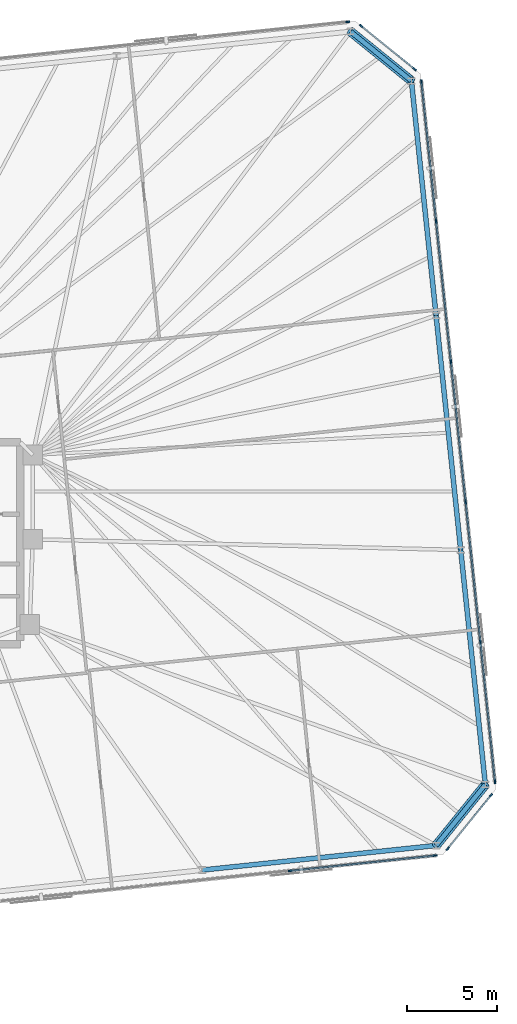
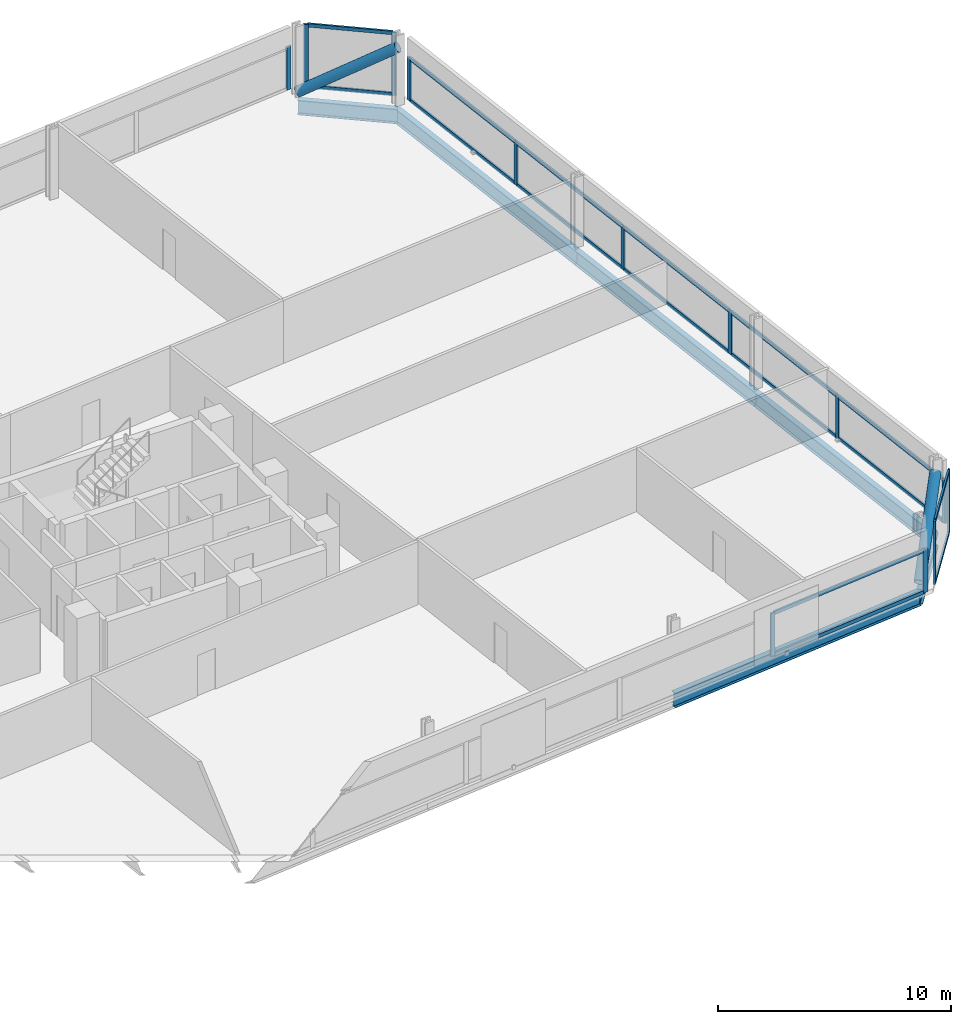
# One storey, part 12 of 18: 31 members, 6 beams, 5 elements without a shape of their own.
"""IFC4 building model written with IfcOpenShell, lengths in metres."""

from ifc_helpers import new_model, si_unit, direction, frame, origin, origin_2d, place, context, subcontext, project, spatial, rectangle, hollow_circle, i_section, extrude, material, material_profile, profile_set, type_object, element, aggregate, save


model = new_model("IFC4")

# Units and contexts
model_context = context("Model", 3, precision=1e-05, world=origin(), true_north=direction((0.0, 1.0)))
body_context = subcontext(model_context, "Body", "Model", "MODEL_VIEW")
ifc_project = project(units=[si_unit("LENGTHUNIT", "METRE"), si_unit("AREAUNIT", "SQUARE_METRE"), si_unit("VOLUMEUNIT", "CUBIC_METRE"), si_unit("PLANEANGLEUNIT", "RADIAN"), si_unit("MASSUNIT", "GRAM", prefix="KILO")], contexts=[model_context])

# Site, building, storey
site_placement = place(None, origin())
site = spatial("IfcSite", under=ifc_project, at=site_placement, CompositionType="ELEMENT")
building_placement = place(site_placement, origin())
building = spatial("IfcBuilding", under=site, at=building_placement, Name="Menara Jurai Vektor", CompositionType="ELEMENT")
storey_placement = place(building_placement, frame((0.0, 0.0, 139.199951171875)))
storey = spatial("IfcBuildingStorey", under=building, at=storey_placement, Name="L35", CompositionType="ELEMENT", Elevation=139.199951171875)

# Curtain wall, members
ifc_material_1 = material(Name="Anodised Pale Aluminium & Low-E Double Glazing", Category="aluminium")
curtain_wall_type = type_object("IfcCurtainWallType", Name="CW-BLK2", PredefinedType="NOTDEFINED", material=ifc_material_1)
curtain_wall_1_placement = place(storey_placement, origin())
curtain_wall_1 = element("IfcCurtainWall", 1, at=curtain_wall_1_placement, inside=storey, type_object=curtain_wall_type, Name="Unitised Curtain Wall L35 F01", PredefinedType="NOTDEFINED")
ifc_material_2 = material(Name="Anodised Pale Aluminium Mullion", Category="aluminium")
ifc_material_profile_1 = material_profile(ifc_material_2, rectangle(XDim=0.090087890625, YDim=0.219970703125, at=origin_2d()), Name="ALU MUL 90x220")
ifc_profile_set_1 = profile_set([ifc_material_profile_1], Name="Anodised Pale Aluminium Mullion")
member_type_1 = type_object("IfcMemberType", Name="CW-BLK2-MUL", PredefinedType="MULLION", material=ifc_profile_set_1)
member_1_placement = place(storey_placement, frame((29.52392578125, -18.169189453125, 0.0), z_axis=(0.0, 0.0, 1.0), x_axis=(-0.104528634935, 0.994521877325, 0.0)))
member_1 = element("IfcMember", 2, at=member_1_placement, type_object=member_type_1, Name="CW-02 mullion 8", PredefinedType="MULLION", context=body_context, shape_type="SweptSolid", body=[
    extrude(rectangle(XDim=0.090087890625, YDim=0.219970703125, at=origin_2d()), origin(), (0.0, 0.0, 1.0), 2.259033203125),
])
member_2_placement = place(storey_placement, frame((37.5771484375, -17.32275390625, 0.0), z_axis=(0.0, 0.0, 1.0), x_axis=(-0.104528634935, 0.994521877325, 0.0)))
member_2 = element("IfcMember", 3, at=member_2_placement, type_object=member_type_1, Name="CW-02 mullion 9", PredefinedType="MULLION", context=body_context, shape_type="SweptSolid", body=[
    extrude(rectangle(XDim=0.090087890625, YDim=0.219970703125, at=origin_2d()), origin(), (0.0, 0.0, 1.0), 2.259033203125),
])

curtain_wall_2_placement = place(storey_placement, origin())
curtain_wall_2 = element("IfcCurtainWall", 4, at=curtain_wall_2_placement, inside=storey, type_object=curtain_wall_type, Name="Unitised Curtain Wall L35 F02", PredefinedType="NOTDEFINED")
member_3_placement = place(storey_placement, frame((38.267333984375, -16.9482421875, 0.0), z_axis=(0.0, 0.0, 1.0), x_axis=(-0.777129222223, 0.62934106172, 0.0)))
member_3 = element("IfcMember", 5, at=member_3_placement, type_object=member_type_1, Name="CW-02 mullion 1", PredefinedType="MULLION", context=body_context, shape_type="SweptSolid", body=[
    extrude(rectangle(XDim=0.090087890625, YDim=0.219970703125, at=origin_2d()), origin(), (0.0, 0.0, 1.0), 3.295166015625),
])
member_4_placement = place(storey_placement, frame((40.66943359375, -13.98193359375, 0.0), z_axis=(0.0, 0.0, 1.0), x_axis=(-0.777129222223, 0.62934106172, 0.0)))
member_4 = element("IfcMember", 6, at=member_4_placement, type_object=member_type_1, Name="CW-02 mullion 2", PredefinedType="MULLION", context=body_context, shape_type="SweptSolid", body=[
    extrude(rectangle(XDim=0.090087890625, YDim=0.219970703125, at=origin_2d()), origin(), (0.0, 0.0, 1.0), 3.295166015625),
])

curtain_wall_3_placement = place(storey_placement, origin())
curtain_wall_3 = element("IfcCurtainWall", 7, at=curtain_wall_3_placement, inside=storey, type_object=curtain_wall_type, Name="Unitised Curtain Wall L35 F03", PredefinedType="NOTDEFINED")
member_5_placement = place(storey_placement, frame((40.892333984375, -13.22900390625, 0.0), z_axis=(0.0, 0.0, 1.0), x_axis=(-0.99452177832, -0.104529576902, 0.0)))
member_5 = element("IfcMember", 8, at=member_5_placement, type_object=member_type_1, Name="CW-02 mullion 1", PredefinedType="MULLION", context=body_context, shape_type="SweptSolid", body=[
    extrude(rectangle(XDim=0.090087890625, YDim=0.219970703125, at=origin_2d()), origin(), (0.0, 0.0, 1.0), 2.259033203125),
])
member_6_placement = place(storey_placement, frame((40.078857421875, -5.488525390625, 0.0), z_axis=(0.0, 0.0, 1.0), x_axis=(-0.99452177832, -0.104529576902, 0.0)))
member_6 = element("IfcMember", 9, at=member_6_placement, type_object=member_type_1, Name="CW-02 mullion 2", PredefinedType="MULLION", context=body_context, shape_type="SweptSolid", body=[
    extrude(rectangle(XDim=0.090087890625, YDim=0.219970703125, at=origin_2d()), origin(), (0.0, 0.0, 1.0), 2.259033203125),
])
member_7_placement = place(storey_placement, frame((39.260498046875, 2.296630859375, 0.0), z_axis=(0.0, 0.0, 1.0), x_axis=(-0.99452177832, -0.104529576902, 0.0)))
member_7 = element("IfcMember", 10, at=member_7_placement, type_object=member_type_1, Name="CW-02 mullion 3", PredefinedType="MULLION", context=body_context, shape_type="SweptSolid", body=[
    extrude(rectangle(XDim=0.090087890625, YDim=0.219970703125, at=origin_2d()), origin(), (0.0, 0.0, 1.0), 2.259033203125),
])
member_8_placement = place(storey_placement, frame((38.4423828125, 10.081787109375, 0.0), z_axis=(0.0, 0.0, 1.0), x_axis=(-0.99452177832, -0.104529576902, 0.0)))
member_8 = element("IfcMember", 11, at=member_8_placement, type_object=member_type_1, Name="CW-02 mullion 4", PredefinedType="MULLION", context=body_context, shape_type="SweptSolid", body=[
    extrude(rectangle(XDim=0.090087890625, YDim=0.219970703125, at=origin_2d()), origin(), (0.0, 0.0, 1.0), 2.259033203125),
])
member_9_placement = place(storey_placement, frame((37.6240234375, 17.866943359375, 0.0), z_axis=(0.0, 0.0, 1.0), x_axis=(-0.99452177832, -0.104529576902, 0.0)))
member_9 = element("IfcMember", 12, at=member_9_placement, type_object=member_type_1, Name="CW-02 mullion 5", PredefinedType="MULLION", context=body_context, shape_type="SweptSolid", body=[
    extrude(rectangle(XDim=0.090087890625, YDim=0.219970703125, at=origin_2d()), origin(), (0.0, 0.0, 1.0), 2.259033203125),
])
member_10_placement = place(storey_placement, frame((36.810546875, 25.607177734375, 0.0), z_axis=(0.0, 0.0, 1.0), x_axis=(-0.99452177832, -0.104529576902, 0.0)))
member_10 = element("IfcMember", 13, at=member_10_placement, type_object=member_type_1, Name="CW-02 mullion 6", PredefinedType="MULLION", context=body_context, shape_type="SweptSolid", body=[
    extrude(rectangle(XDim=0.090087890625, YDim=0.219970703125, at=origin_2d()), origin(), (0.0, 0.0, 1.0), 2.259033203125),
])

curtain_wall_4_placement = place(storey_placement, origin())
curtain_wall_4 = element("IfcCurtainWall", 14, at=curtain_wall_4_placement, inside=storey, type_object=curtain_wall_type, Name="Unitised Curtain Wall L35 F04", PredefinedType="NOTDEFINED")
member_11_placement = place(storey_placement, frame((36.435791015625, 26.29736328125, 0.0), z_axis=(0.0, 0.0, 1.0), x_axis=(-0.629313085353, -0.777151877437, 0.0)))
member_11 = element("IfcMember", 15, at=member_11_placement, type_object=member_type_1, Name="CW-02 mullion 1", PredefinedType="MULLION", context=body_context, shape_type="SweptSolid", body=[
    extrude(rectangle(XDim=0.090087890625, YDim=0.219970703125, at=origin_2d()), origin(), (0.0, 0.0, 1.0), 3.295166015625),
])
member_12_placement = place(storey_placement, frame((33.469482421875, 28.699462890625, 0.0), z_axis=(0.0, 0.0, 1.0), x_axis=(-0.629313085353, -0.777151877437, 0.0)))
member_12 = element("IfcMember", 16, at=member_12_placement, type_object=member_type_1, Name="CW-02 mullion 2", PredefinedType="MULLION", context=body_context, shape_type="SweptSolid", body=[
    extrude(rectangle(XDim=0.090087890625, YDim=0.219970703125, at=origin_2d()), origin(), (0.0, 0.0, 1.0), 3.295166015625),
])

# Curtain wall, member
curtain_wall_5_placement = place(storey_placement, origin())
curtain_wall_5 = element("IfcCurtainWall", 17, at=curtain_wall_5_placement, inside=storey, type_object=curtain_wall_type, Name="Unitised Curtain Wall L35 F05", PredefinedType="NOTDEFINED")
member_13_placement = place(storey_placement, frame((32.716552734375, 28.92236328125, 0.0), z_axis=(0.0, 0.0, 1.0), x_axis=(0.104528634935, -0.994521877325, 0.0)))
member_13 = element("IfcMember", 18, at=member_13_placement, type_object=member_type_1, Name="CW-02 mullion 1", PredefinedType="MULLION", context=body_context, shape_type="SweptSolid", body=[
    extrude(rectangle(XDim=0.090087890625, YDim=0.219970703125, at=origin_2d()), origin(), (0.0, 0.0, 1.0), 2.259033203125),
])
aggregate(curtain_wall_5, [member_13])

# Member
ifc_material_3 = material(Name="Anodised Pale Aluminium Transom", Category="aluminium")
ifc_material_profile_2 = material_profile(ifc_material_3, rectangle(XDim=0.090087890625, YDim=0.18505859375, at=origin_2d()), Name="ALU TRN 90x185")
ifc_profile_set_2 = profile_set([ifc_material_profile_2], Name="Anodised Pale Aluminium Transom")
member_type_2 = type_object("IfcMemberType", Name="CW-BLK2-TRN", PredefinedType="USERDEFINED", material=ifc_profile_set_2)
member_14_placement = place(storey_placement, frame((29.56884765625, -18.16455078125, 0.045166015625), z_axis=(0.994519977808, 0.104546706027, 0.0), x_axis=(-0.104546706027, 0.994519977808, 0.0)))
member_14 = element("IfcMember", 19, at=member_14_placement, type_object=member_type_2, Name="CW-02 transom 8.1", ObjectType="TRANSOM", PredefinedType="USERDEFINED", context=body_context, shape_type="SweptSolid", body=[
    extrude(rectangle(XDim=0.090087890625, YDim=0.18505859375, at=origin_2d()), origin(), (0.0, 0.0, 1.0), 8.007568359375),
])

member_15_placement = place(storey_placement, frame((29.56884765625, -18.16455078125, 2.214111328125), z_axis=(0.994519977808, 0.104546706027, 0.0), x_axis=(-0.104546706027, 0.994519977808, 0.0)))
member_15 = element("IfcMember", 20, at=member_15_placement, type_object=member_type_2, Name="CW-02 transom 8.2", ObjectType="TRANSOM", PredefinedType="USERDEFINED", context=body_context, shape_type="SweptSolid", body=[
    extrude(rectangle(XDim=0.090087890625, YDim=0.18505859375, at=origin_2d()), origin(), (0.0, 0.0, 1.0), 8.007568359375),
])

aggregate(curtain_wall_1, [member_1, member_2, member_14, member_15])

member_16_placement = place(storey_placement, frame((38.295654296875, -16.9130859375, 0.045166015625), z_axis=(0.6293414396, 0.777128916205, 0.0), x_axis=(-0.777128916205, 0.6293414396, 0.0)))
member_16 = element("IfcMember", 21, at=member_16_placement, type_object=member_type_2, Name="CW-02 transom 1.1", ObjectType="TRANSOM", PredefinedType="USERDEFINED", context=body_context, shape_type="SweptSolid", body=[
    extrude(rectangle(XDim=0.090087890625, YDim=0.18505859375, at=origin_2d()), origin(), (0.0, 0.0, 1.0), 3.726806640625),
])

member_17_placement = place(storey_placement, frame((38.295654296875, -16.9130859375, 3.25), z_axis=(0.6293414396, 0.777128916205, 0.0), x_axis=(-0.777128916205, 0.6293414396, 0.0)))
member_17 = element("IfcMember", 22, at=member_17_placement, type_object=member_type_2, Name="CW-02 transom 1.2", ObjectType="TRANSOM", PredefinedType="USERDEFINED", context=body_context, shape_type="SweptSolid", body=[
    extrude(rectangle(XDim=0.090087890625, YDim=0.18505859375, at=origin_2d()), origin(), (0.0, 0.0, 1.0), 3.726806640625),
])

aggregate(curtain_wall_2, [member_3, member_4, member_16, member_17])

member_18_placement = place(storey_placement, frame((40.8876953125, -13.18408203125, 0.045166015625), z_axis=(-0.104536105602, 0.994521092097, 0.0), x_axis=(-0.994521092097, -0.104536105602, 0.0)))
member_18 = element("IfcMember", 23, at=member_18_placement, type_object=member_type_2, Name="CW-02 transom 1.1", ObjectType="TRANSOM", PredefinedType="USERDEFINED", context=body_context, shape_type="SweptSolid", body=[
    extrude(rectangle(XDim=0.090087890625, YDim=0.18505859375, at=origin_2d()), origin(), (0.0, 0.0, 1.0), 7.693115234375),
])

member_19_placement = place(storey_placement, frame((40.8876953125, -13.18408203125, 2.214111328125), z_axis=(-0.104536105602, 0.994521092097, 0.0), x_axis=(-0.994521092097, -0.104536105602, 0.0)))
member_19 = element("IfcMember", 24, at=member_19_placement, type_object=member_type_2, Name="CW-02 transom 1.2", ObjectType="TRANSOM", PredefinedType="USERDEFINED", context=body_context, shape_type="SweptSolid", body=[
    extrude(rectangle(XDim=0.090087890625, YDim=0.18505859375, at=origin_2d()), origin(), (0.0, 0.0, 1.0), 7.693115234375),
])

member_20_placement = place(storey_placement, frame((40.07421875, -5.44384765625, 0.045166015625), z_axis=(-0.104528756613, 0.994521864536, 0.0), x_axis=(-0.994521864536, -0.104528756613, 0.0)))
member_20 = element("IfcMember", 25, at=member_20_placement, type_object=member_type_2, Name="CW-02 transom 2.1", ObjectType="TRANSOM", PredefinedType="USERDEFINED", context=body_context, shape_type="SweptSolid", body=[
    extrude(rectangle(XDim=0.090087890625, YDim=0.18505859375, at=origin_2d()), origin(), (0.0, 0.0, 1.0), 7.738037109375),
])

member_21_placement = place(storey_placement, frame((40.07421875, -5.44384765625, 2.214111328125), z_axis=(-0.104528756613, 0.994521864536, 0.0), x_axis=(-0.994521864536, -0.104528756613, 0.0)))
member_21 = element("IfcMember", 26, at=member_21_placement, type_object=member_type_2, Name="CW-02 transom 2.2", ObjectType="TRANSOM", PredefinedType="USERDEFINED", context=body_context, shape_type="SweptSolid", body=[
    extrude(rectangle(XDim=0.090087890625, YDim=0.18505859375, at=origin_2d()), origin(), (0.0, 0.0, 1.0), 7.738037109375),
])

member_22_placement = place(storey_placement, frame((39.255859375, 2.34130859375, 0.045166015625), z_axis=(-0.104528756613, 0.994521864536, 0.0), x_axis=(-0.994521864536, -0.104528756613, 0.0)))
member_22 = element("IfcMember", 27, at=member_22_placement, type_object=member_type_2, Name="CW-02 transom 3.1", ObjectType="TRANSOM", PredefinedType="USERDEFINED", context=body_context, shape_type="SweptSolid", body=[
    extrude(rectangle(XDim=0.090087890625, YDim=0.18505859375, at=origin_2d()), origin(), (0.0, 0.0, 1.0), 7.738037109375),
])

member_23_placement = place(storey_placement, frame((39.255859375, 2.34130859375, 2.214111328125), z_axis=(-0.104528756613, 0.994521864536, 0.0), x_axis=(-0.994521864536, -0.104528756613, 0.0)))
member_23 = element("IfcMember", 28, at=member_23_placement, type_object=member_type_2, Name="CW-02 transom 3.2", ObjectType="TRANSOM", PredefinedType="USERDEFINED", context=body_context, shape_type="SweptSolid", body=[
    extrude(rectangle(XDim=0.090087890625, YDim=0.18505859375, at=origin_2d()), origin(), (0.0, 0.0, 1.0), 7.738037109375),
])

member_24_placement = place(storey_placement, frame((38.4375, 10.12646484375, 0.045166015625), z_axis=(-0.104528756613, 0.994521864536, 0.0), x_axis=(-0.994521864536, -0.104528756613, 0.0)))
member_24 = element("IfcMember", 29, at=member_24_placement, type_object=member_type_2, Name="CW-02 transom 4.1", ObjectType="TRANSOM", PredefinedType="USERDEFINED", context=body_context, shape_type="SweptSolid", body=[
    extrude(rectangle(XDim=0.090087890625, YDim=0.18505859375, at=origin_2d()), origin(), (0.0, 0.0, 1.0), 7.738037109375),
])

member_25_placement = place(storey_placement, frame((38.4375, 10.12646484375, 2.214111328125), z_axis=(-0.104528756613, 0.994521864536, 0.0), x_axis=(-0.994521864536, -0.104528756613, 0.0)))
member_25 = element("IfcMember", 30, at=member_25_placement, type_object=member_type_2, Name="CW-02 transom 4.2", ObjectType="TRANSOM", PredefinedType="USERDEFINED", context=body_context, shape_type="SweptSolid", body=[
    extrude(rectangle(XDim=0.090087890625, YDim=0.18505859375, at=origin_2d()), origin(), (0.0, 0.0, 1.0), 7.738037109375),
])

member_26_placement = place(storey_placement, frame((37.619384765625, 17.91162109375, 0.045166015625), z_axis=(-0.104536105602, 0.994521092097, 0.0), x_axis=(-0.994521092097, -0.104536105602, 0.0)))
member_26 = element("IfcMember", 31, at=member_26_placement, type_object=member_type_2, Name="CW-02 transom 5.1", ObjectType="TRANSOM", PredefinedType="USERDEFINED", context=body_context, shape_type="SweptSolid", body=[
    extrude(rectangle(XDim=0.090087890625, YDim=0.18505859375, at=origin_2d()), origin(), (0.0, 0.0, 1.0), 7.693115234375),
])

member_27_placement = place(storey_placement, frame((37.619384765625, 17.91162109375, 2.214111328125), z_axis=(-0.104536105602, 0.994521092097, 0.0), x_axis=(-0.994521092097, -0.104536105602, 0.0)))
member_27 = element("IfcMember", 32, at=member_27_placement, type_object=member_type_2, Name="CW-02 transom 5.2", ObjectType="TRANSOM", PredefinedType="USERDEFINED", context=body_context, shape_type="SweptSolid", body=[
    extrude(rectangle(XDim=0.090087890625, YDim=0.18505859375, at=origin_2d()), origin(), (0.0, 0.0, 1.0), 7.693115234375),
])

aggregate(curtain_wall_3, [member_5, member_6, member_7, member_8, member_9, member_10, member_18, member_19, member_20, member_21, member_22, member_23, member_24, member_25, member_26, member_27])

member_28_placement = place(storey_placement, frame((36.40087890625, 26.32568359375, 0.045166015625), z_axis=(-0.77715486027, 0.629309401772, 0.0), x_axis=(-0.629309401772, -0.77715486027, 0.0)))
member_28 = element("IfcMember", 33, at=member_28_placement, type_object=member_type_2, Name="CW-02 transom 1.1", ObjectType="TRANSOM", PredefinedType="USERDEFINED", context=body_context, shape_type="SweptSolid", body=[
    extrude(rectangle(XDim=0.090087890625, YDim=0.18505859375, at=origin_2d()), origin(), (0.0, 0.0, 1.0), 3.72705078125),
])

member_29_placement = place(storey_placement, frame((36.40087890625, 26.32568359375, 3.25), z_axis=(-0.77715486027, 0.629309401772, 0.0), x_axis=(-0.629309401772, -0.77715486027, 0.0)))
member_29 = element("IfcMember", 34, at=member_29_placement, type_object=member_type_2, Name="CW-02 transom 1.2", ObjectType="TRANSOM", PredefinedType="USERDEFINED", context=body_context, shape_type="SweptSolid", body=[
    extrude(rectangle(XDim=0.090087890625, YDim=0.18505859375, at=origin_2d()), origin(), (0.0, 0.0, 1.0), 3.72705078125),
])

aggregate(curtain_wall_4, [member_11, member_12, member_28, member_29])

# Members
ifc_material_4 = material(Name="Steel S460", Category="steel")
ifc_material_profile_3 = material_profile(ifc_material_4, hollow_circle(Radius=0.25390625, WallThickness=0.02001953125, at=origin_2d()), Name="CHS 508x20")
ifc_profile_set_3 = profile_set([ifc_material_profile_3], Name="Steel S460")
member_type_3 = type_object("IfcMemberType", Name="STR-BR-508", PredefinedType="BRACE", material=ifc_profile_set_3)
for number, where, z_axis, x_axis, name in (
    (35, (37.621826171875, -16.76513671875, 0.150146484375), (0.529288743682, 0.6535770826, 0.541008708721), (-0.777127086072, 0.629343699494, 0.0), "Exoskeleton Corner Brace L35-1"),
    (36, (32.876220703125, 28.38623046875, 0.150146484375), (0.6535770826, -0.529288743682, 0.541008708721), (0.629343699494, 0.777127086072, 0.0), "Exoskeleton Corner Brace L35-2"),
):
    element("IfcMember", number, at=place(storey_placement, frame(where, z_axis=z_axis, x_axis=x_axis)), inside=storey, type_object=member_type_3, Name=name, PredefinedType="BRACE", context=body_context, shape_type="SweptSolid", body=[
        extrude(hollow_circle(Radius=0.25390625, WallThickness=0.02001953125, at=origin_2d()), origin(), (0.0, 0.0, 1.0), 5.166015625),
    ])

# Beams
ifc_material_profile_4 = material_profile(ifc_material_4, i_section(OverallWidth=0.26806640625, OverallDepth=0.77001953125, WebThickness=0.01611328125, FlangeThickness=0.02490234375, FilletRadius=0.01708984375, at=origin_2d()), Name="UKB 762x267x197")
ifc_profile_set_4 = profile_set([ifc_material_profile_4], Name="Steel S460")
beam_type = type_object("IfcBeamType", Name="STR-SP-762", PredefinedType="SPANDREL", material=ifc_profile_set_4)
beam_1_placement = place(storey_placement, frame((24.64208984375, -18.12939453125, -0.60986328125), z_axis=(0.994521636083, 0.104530930169, 0.0), x_axis=(-0.104530930169, 0.994521636083, 0.0)))
element("IfcBeam", 37, at=beam_1_placement, inside=storey, type_object=beam_type, Name="Exoskeleton Spandrel Beam L35-05", PredefinedType="SPANDREL", context=body_context, shape_type="SweptSolid", body=[
    extrude(i_section(OverallWidth=0.26806640625, OverallDepth=0.77001953125, WebThickness=0.01611328125, FlangeThickness=0.02490234375, FilletRadius=0.01708984375, at=origin_2d()), origin(), (0.0, 0.0, 1.0), 13.05126953125),
])
beam_2_placement = place(storey_placement, frame((37.621826171875, -16.76513671875, -0.60986328125), z_axis=(0.629343699494, 0.777127086072, 0.0), x_axis=(-0.777127086072, 0.629343699494, 0.0)))
element("IfcBeam", 38, at=beam_2_placement, inside=storey, type_object=beam_type, Name="Exoskeleton Spandrel Beam L35-06", PredefinedType="SPANDREL", context=body_context, shape_type="SweptSolid", body=[
    extrude(i_section(OverallWidth=0.26806640625, OverallDepth=0.77001953125, WebThickness=0.01611328125, FlangeThickness=0.02490234375, FilletRadius=0.01708984375, at=origin_2d()), origin(), (0.0, 0.0, 1.0), 4.3447265625),
])
beam_3_placement = place(storey_placement, frame((40.356201171875, -13.388671875, -0.60986328125), z_axis=(-0.104538130097, 0.994520879296, 0.0), x_axis=(-0.994520879296, -0.104538130097, 0.0)))
element("IfcBeam", 39, at=beam_3_placement, inside=storey, type_object=beam_type, Name="Exoskeleton Spandrel Beam L35-07", PredefinedType="SPANDREL", context=body_context, shape_type="SweptSolid", body=[
    extrude(i_section(OverallWidth=0.26806640625, OverallDepth=0.77001953125, WebThickness=0.01611328125, FlangeThickness=0.02490234375, FilletRadius=0.01708984375, at=origin_2d()), origin(), (0.0, 0.0, 1.0), 13.08544921875),
])
beam_4_placement = place(storey_placement, frame((38.98828125, -0.375, -0.60986328125), z_axis=(-0.104521615846, 0.994522615037, 0.0), x_axis=(-0.994522615037, -0.104521615846, 0.0)))
element("IfcBeam", 40, at=beam_4_placement, inside=storey, type_object=beam_type, Name="Exoskeleton Spandrel Beam L35-08", PredefinedType="SPANDREL", context=body_context, shape_type="SweptSolid", body=[
    extrude(i_section(OverallWidth=0.26806640625, OverallDepth=0.77001953125, WebThickness=0.01611328125, FlangeThickness=0.02490234375, FilletRadius=0.01708984375, at=origin_2d()), origin(), (0.0, 0.0, 1.0), 13.085205078125),
])
beam_5_placement = place(storey_placement, frame((37.62060546875, 12.638427734375, -0.60986328125), z_axis=(-0.104538130097, 0.994520879296, 0.0), x_axis=(-0.994520879296, -0.104538130097, 0.0)))
element("IfcBeam", 41, at=beam_5_placement, inside=storey, type_object=beam_type, Name="Exoskeleton Spandrel Beam L35-09", PredefinedType="SPANDREL", context=body_context, shape_type="SweptSolid", body=[
    extrude(i_section(OverallWidth=0.26806640625, OverallDepth=0.77001953125, WebThickness=0.01611328125, FlangeThickness=0.02490234375, FilletRadius=0.01708984375, at=origin_2d()), origin(), (0.0, 0.0, 1.0), 13.08544921875),
])
beam_6_placement = place(storey_placement, frame((36.252685546875, 25.652099609375, -0.60986328125), z_axis=(-0.777154568396, 0.629309762217, 0.0), x_axis=(-0.629309762217, -0.777154568396, 0.0)))
element("IfcBeam", 42, at=beam_6_placement, inside=storey, type_object=beam_type, Name="Exoskeleton Spandrel Beam L35-10", PredefinedType="SPANDREL", context=body_context, shape_type="SweptSolid", body=[
    extrude(i_section(OverallWidth=0.26806640625, OverallDepth=0.77001953125, WebThickness=0.01611328125, FlangeThickness=0.02490234375, FilletRadius=0.01708984375, at=origin_2d()), origin(), (0.0, 0.0, 1.0), 4.3447265625),
])

save(model, "model.ifc")
